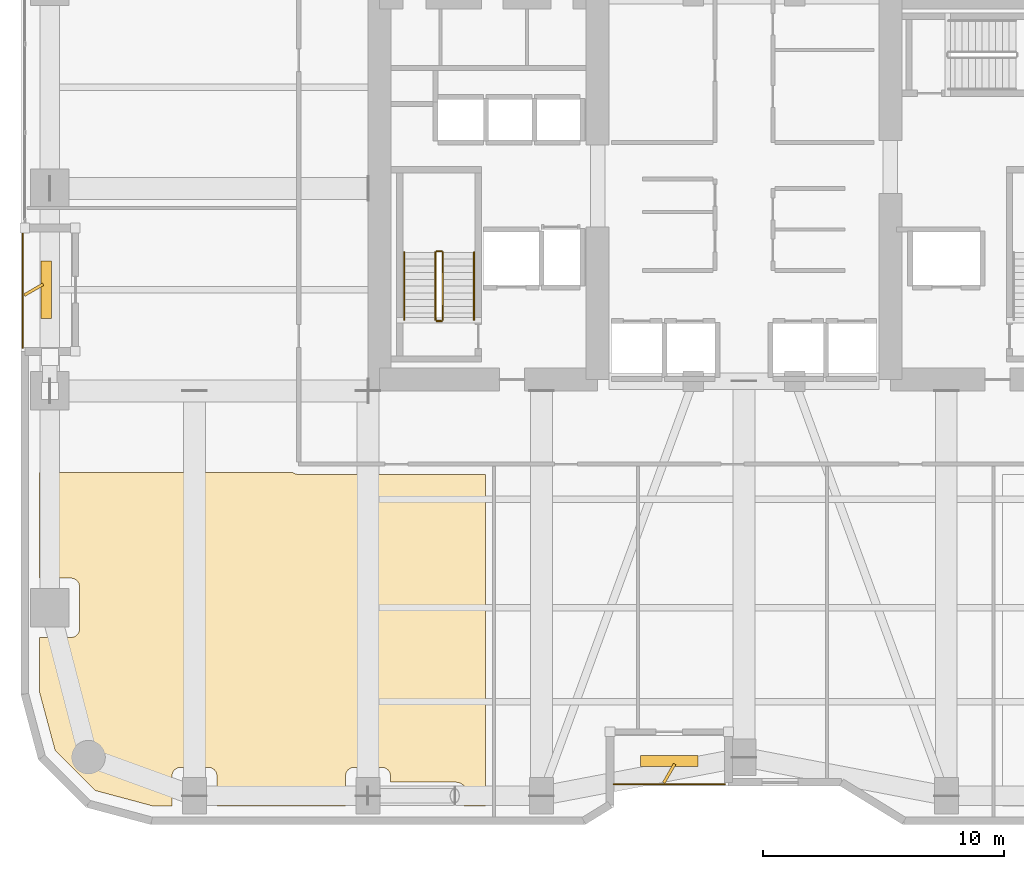
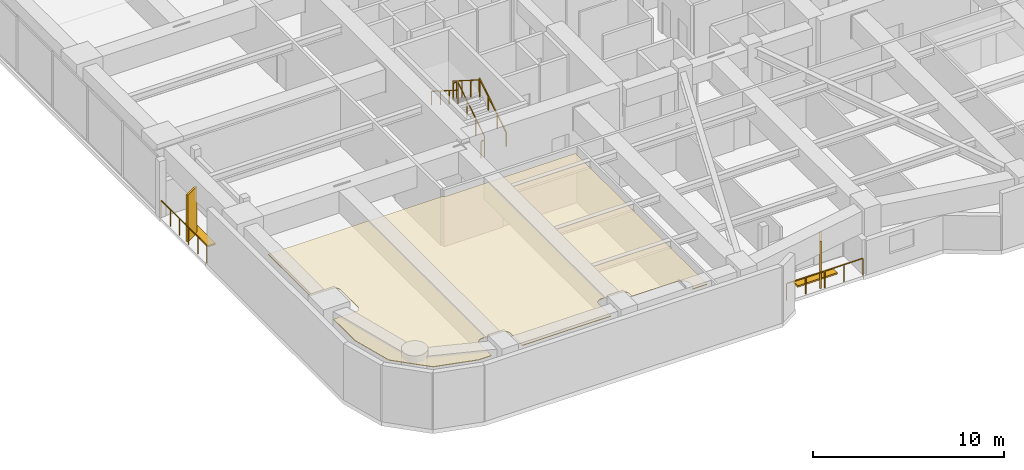
# One storey, part 26 of 28: 8 railings, 4 shading devices, 1 covering.
"""IFC4 building model written with IfcOpenShell, lengths in metres."""

from ifc_helpers import new_model, si_unit, direction, frame, origin, origin_2d, place, context, subcontext, project, spatial, polyline, rectangle, outline, extrude, material, layer, layer_set, type_object, element, save


model = new_model("IFC4")

# Units and contexts
model_context = context("Model", 3, precision=1e-05, world=origin(), true_north=direction((0.0, 1.0)))
body_context = subcontext(model_context, "Body", "Model", "MODEL_VIEW")
ifc_project = project(units=[si_unit("LENGTHUNIT", "METRE"), si_unit("AREAUNIT", "SQUARE_METRE"), si_unit("VOLUMEUNIT", "CUBIC_METRE"), si_unit("PLANEANGLEUNIT", "RADIAN"), si_unit("MASSUNIT", "GRAM", prefix="KILO")], contexts=[model_context])

# Site, building, storey
site_placement = place(None, origin())
site = spatial("IfcSite", under=ifc_project, at=site_placement, CompositionType="ELEMENT")
building_placement = place(site_placement, origin())
building = spatial("IfcBuilding", under=site, at=building_placement, Name="Kiyonajd Concourse Tower", CompositionType="ELEMENT")
storey_placement = place(building_placement, frame((0.0, 0.0, 76.800048828125)))
storey = spatial("IfcBuildingStorey", under=building, at=storey_placement, Name="L20", CompositionType="ELEMENT", Elevation=76.800048828125)

# Covering
ifc_material_1 = material(Name="Natural Oak Acoustic Timber Veneer", Category="wood")
ifc_layer = layer(ifc_material_1, 0.0400390625)
ifc_layer_set = layer_set([ifc_layer], Name="Natural Oak Acoustic Timber Veneer")
covering_type = type_object("IfcCoveringType", Name="CV-CLG-ACST", PredefinedType="CEILING", material=ifc_layer_set)
covering_placement = place(storey_placement, frame((0.0, 0.0, 3.419921875)))
element("IfcCovering", 1, at=covering_placement, inside=storey, type_object=covering_type, Name="L20-39 Room Acoustic Ceiling", PredefinedType="CEILING", context=body_context, shape_type="SweptSolid", body=[
    extrude(outline(polyline([(19.4140625, 12.697998046875), (18.77001953125, 15.10107421875), (18.77001953125, 17.3701171875), (20.114013671875, 17.3720703125), (20.181884765625, 17.385009765625), (20.2451171875, 17.410888671875), (20.302001953125, 17.448974609375), (20.35107421875, 17.498046875), (20.388916015625, 17.554931640625), (20.4150390625, 17.617919921875), (20.429931640625, 17.719970703125), (20.427978515625, 19.513916015625), (20.403076171875, 19.614013671875), (20.35107421875, 19.701904296875), (20.302001953125, 19.7509765625), (20.2451171875, 19.7890625), (20.14794921875, 19.822998046875), (20.080078125, 19.830078125), (18.77001953125, 19.830078125), (18.77001953125, 24.2099609375), (29.277099609375, 24.2099609375), (29.33203125, 24.176025390625), (29.39501953125, 24.14990234375), (29.52490234375, 24.1298828125), (37.280029296875, 24.1298828125), (37.280029296875, 10.3701171875), (36.3740234375, 10.3701171875), (36.44091796875, 10.43798828125), (36.485107421875, 10.501953125), (36.54296875, 10.626953125), (36.56396484375, 10.72509765625), (36.570068359375, 10.800048828125), (36.555908203125, 10.924072265625), (36.54296875, 10.972900390625), (36.501953125, 11.070068359375), (36.44091796875, 11.162109375), (36.333984375, 11.260986328125), (36.27001953125, 11.302001953125), (36.200927734375, 11.3330078125), (36.12890625, 11.35498046875), (36.02197265625, 11.368896484375), (33.330078125, 11.3701171875), (33.327880859375, 11.6640625), (33.31494140625, 11.73193359375), (33.2890625, 11.794921875), (33.22705078125, 11.876953125), (33.14501953125, 11.93896484375), (33.08203125, 11.965087890625), (32.97998046875, 11.97998046875), (31.785888671875, 11.97802734375), (31.718017578125, 11.965087890625), (31.655029296875, 11.93896484375), (31.572998046875, 11.876953125), (31.510986328125, 11.794921875), (31.485107421875, 11.73193359375), (31.471923828125, 11.6640625), (31.469970703125, 10.3701171875), (26.1298828125, 10.3701171875), (26.1279296875, 11.6640625), (26.114990234375, 11.73193359375), (26.089111328125, 11.794921875), (26.027099609375, 11.876953125), (25.945068359375, 11.93896484375), (25.882080078125, 11.965087890625), (25.81396484375, 11.97802734375), (24.6201171875, 11.97998046875), (24.552001953125, 11.972900390625), (24.455078125, 11.93896484375), (24.373046875, 11.876953125), (24.31103515625, 11.794921875), (24.277099609375, 11.697998046875), (24.27001953125, 11.6298828125), (24.27001953125, 10.3701171875), (23.5009765625, 10.3701171875), (21.097900390625, 11.013916015625), (19.4140625, 12.697998046875)])), origin(), (0.0, 0.0, 1.0), 0.0400390625),
])

# Railings
ifc_material_2 = material(Name="Thermally Broken Anodised Aluminium", Category="aluminium")
railing_type_1 = type_object("IfcRailingType", Name="RL-GRD-LOG", PredefinedType="GUARDRAIL", material=ifc_material_2)
railing_1_placement = place(storey_placement, frame((42.60009765625, 11.280029296875, 0.0)))
element("IfcRailing", 2, at=railing_1_placement, inside=storey, type_object=railing_type_1, Name="L20 Engawa Loggia Perimeter Guard LOG-S", PredefinedType="GUARDRAIL", context=body_context, shape_type="SweptSolid", body=[
    extrude(rectangle(XDim=0.048095703125, YDim=0.048095703125, at=origin_2d()), frame((0.0, 0.0, 1.076171875), z_axis=(1.0, 0.0, 0.0), x_axis=(0.0, 1.0, 0.0)), (0.0, 0.0, 1.0), 4.599853515625),
    extrude(rectangle(XDim=0.0419921875, YDim=0.0419921875, at=origin_2d()), origin(), (0.0, 0.0, 1.0), 1.052001953125),
    extrude(rectangle(XDim=0.0419921875, YDim=0.0419921875, at=origin_2d()), frame((1.14990234375, 0.0, 0.0)), (0.0, 0.0, 1.0), 1.052001953125),
    extrude(rectangle(XDim=0.0419921875, YDim=0.0419921875, at=origin_2d()), frame((2.2998046875, 0.0, 0.0)), (0.0, 0.0, 1.0), 1.052001953125),
    extrude(rectangle(XDim=0.0419921875, YDim=0.0419921875, at=origin_2d()), frame((3.449951171875, 0.0, 0.0)), (0.0, 0.0, 1.0), 1.052001953125),
    extrude(rectangle(XDim=0.0419921875, YDim=0.0419921875, at=origin_2d()), frame((4.599853515625, 0.0, 0.0)), (0.0, 0.0, 1.0), 1.052001953125),
])
railing_2_placement = place(storey_placement, frame((18.080078125, 34.199951171875, 0.0)))
element("IfcRailing", 3, at=railing_2_placement, inside=storey, type_object=railing_type_1, Name="L20 Engawa Loggia Perimeter Guard LOG-W", PredefinedType="GUARDRAIL", context=body_context, shape_type="SweptSolid", body=[
    extrude(rectangle(XDim=0.048095703125, YDim=0.048095703125, at=origin_2d()), frame((0.0, 0.0, 1.076171875), z_axis=(0.0, -1.0, 0.0), x_axis=(1.0, 0.0, 0.0)), (0.0, 0.0, 1.0), 4.800048828125),
    extrude(rectangle(XDim=0.0419921875, YDim=0.0419921875, at=origin_2d()), origin(), (0.0, 0.0, 1.0), 1.052001953125),
    extrude(rectangle(XDim=0.0419921875, YDim=0.0419921875, at=origin_2d()), frame((0.0, -0.9599609375, 0.0)), (0.0, 0.0, 1.0), 1.052001953125),
    extrude(rectangle(XDim=0.0419921875, YDim=0.0419921875, at=origin_2d()), frame((0.0, -1.919921875, 0.0)), (0.0, 0.0, 1.0), 1.052001953125),
    extrude(rectangle(XDim=0.0419921875, YDim=0.0419921875, at=origin_2d()), frame((0.0, -2.880126953125, 0.0)), (0.0, 0.0, 1.0), 1.052001953125),
    extrude(rectangle(XDim=0.0419921875, YDim=0.0419921875, at=origin_2d()), frame((0.0, -3.840087890625, 0.0)), (0.0, 0.0, 1.0), 1.052001953125),
    extrude(rectangle(XDim=0.0419921875, YDim=0.0419921875, at=origin_2d()), frame((0.0, -4.800048828125, 0.0)), (0.0, 0.0, 1.0), 1.052001953125),
])
ifc_material_3 = material(Name="Steel ASTM A500 Grade C", Category="steel")
railing_type_2 = type_object("IfcRailingType", Name="RL-GRD-STR", PredefinedType="GUARDRAIL", material=ifc_material_3)
railing_3_placement = place(storey_placement, frame((35.5, 30.550048828125, 0.17724609375)))
element("IfcRailing", 4, at=railing_3_placement, inside=storey, type_object=railing_type_2, Name="L20 ST1 stair guard 1", PredefinedType="GUARDRAIL", context=body_context, shape_type="SweptSolid", body=[
    extrude(rectangle(XDim=0.048095703125, YDim=0.048095703125, at=origin_2d()), frame((0.0, 0.0, 1.076171875), z_axis=(0.0, 0.844908973607, 0.534910110503), x_axis=(-1.0, 0.0, 0.0)), (0.0, 0.0, 1.0), 3.31396484375),
    extrude(rectangle(XDim=0.0419921875, YDim=0.0419921875, at=origin_2d()), origin(), (0.0, 0.0, 1.0), 1.052001953125),
    extrude(rectangle(XDim=0.0419921875, YDim=0.0419921875, at=origin_2d()), frame((0.0, 0.933349609375, 0.5908203125)), (0.0, 0.0, 1.0), 1.052001953125),
    extrude(rectangle(XDim=0.0419921875, YDim=0.0419921875, at=origin_2d()), frame((0.0, 1.86669921875, 1.181884765625)), (0.0, 0.0, 1.0), 1.052001953125),
    extrude(rectangle(XDim=0.0419921875, YDim=0.0419921875, at=origin_2d()), frame((0.0, 2.800048828125, 1.772705078125)), (0.0, 0.0, 1.0), 1.052001953125),
])
railing_4_placement = place(storey_placement, frame((35.449951171875, 33.39990234375, 1.949951171875)))
element("IfcRailing", 5, at=railing_4_placement, inside=storey, type_object=railing_type_2, Name="L20 ST1 stair guard 2", PredefinedType="GUARDRAIL", context=body_context, shape_type="SweptSolid", body=[
    extrude(rectangle(XDim=0.048095703125, YDim=0.048095703125, at=origin_2d()), frame((0.0, 0.0, 1.076171875), z_axis=(-1.0, 0.0, 0.0), x_axis=(0.0, -1.0, 0.0)), (0.0, 0.0, 1.0), 0.199951171875),
    extrude(rectangle(XDim=0.0419921875, YDim=0.0419921875, at=origin_2d()), origin(), (0.0, 0.0, 1.0), 1.052001953125),
    extrude(rectangle(XDim=0.0419921875, YDim=0.0419921875, at=origin_2d()), frame((-0.199951171875, 0.0, 0.0)), (0.0, 0.0, 1.0), 1.052001953125),
])
railing_5_placement = place(storey_placement, frame((35.199951171875, 33.35009765625, 2.127197265625)))
element("IfcRailing", 6, at=railing_5_placement, inside=storey, type_object=railing_type_2, Name="L20 ST1 stair guard 3", PredefinedType="GUARDRAIL", context=body_context, shape_type="SweptSolid", body=[
    extrude(rectangle(XDim=0.048095703125, YDim=0.048095703125, at=origin_2d()), frame((0.0, 0.0, 1.076171875), z_axis=(0.0, -0.844908973607, 0.534910110503), x_axis=(1.0, 0.0, 0.0)), (0.0, 0.0, 1.0), 3.31396484375),
    extrude(rectangle(XDim=0.0419921875, YDim=0.0419921875, at=origin_2d()), origin(), (0.0, 0.0, 1.0), 1.052001953125),
    extrude(rectangle(XDim=0.0419921875, YDim=0.0419921875, at=origin_2d()), frame((0.0, -0.933349609375, 0.5908203125)), (0.0, 0.0, 1.0), 1.052001953125),
    extrude(rectangle(XDim=0.0419921875, YDim=0.0419921875, at=origin_2d()), frame((0.0, -1.86669921875, 1.181884765625)), (0.0, 0.0, 1.0), 1.052001953125),
    extrude(rectangle(XDim=0.0419921875, YDim=0.0419921875, at=origin_2d()), frame((0.0, -2.800048828125, 1.772705078125)), (0.0, 0.0, 1.0), 1.052001953125),
])
railing_6_placement = place(storey_placement, frame((35.449951171875, 30.5, 0.0)))
element("IfcRailing", 7, at=railing_6_placement, inside=storey, type_object=railing_type_2, Name="L20 ST1 stair guard 4", PredefinedType="GUARDRAIL", context=body_context, shape_type="SweptSolid", body=[
    extrude(rectangle(XDim=0.048095703125, YDim=0.048095703125, at=origin_2d()), frame((0.0, 0.0, 1.076171875), z_axis=(-1.0, 0.0, 0.0), x_axis=(0.0, -1.0, 0.0)), (0.0, 0.0, 1.0), 0.199951171875),
    extrude(rectangle(XDim=0.0419921875, YDim=0.0419921875, at=origin_2d()), origin(), (0.0, 0.0, 1.0), 1.052001953125),
    extrude(rectangle(XDim=0.0419921875, YDim=0.0419921875, at=origin_2d()), frame((-0.199951171875, 0.0, 0.0)), (0.0, 0.0, 1.0), 1.052001953125),
])
ifc_material_4 = material(Name="Brushed Stainless Steel Cab Assembly", Category="steel")
railing_type_3 = type_object("IfcRailingType", Name="RL-HND-900", PredefinedType="HANDRAIL", material=ifc_material_4)
railing_7_placement = place(storey_placement, frame((36.800048828125, 30.550048828125, 0.17724609375)))
element("IfcRailing", 8, at=railing_7_placement, inside=storey, type_object=railing_type_3, Name="L20 ST1 stair handrail 1", PredefinedType="HANDRAIL", context=body_context, shape_type="SweptSolid", body=[
    extrude(rectangle(XDim=0.048095703125, YDim=0.048095703125, at=origin_2d()), frame((0.0, 0.0, 0.8759765625), z_axis=(0.0, 0.844908973607, 0.534910110503), x_axis=(-1.0, 0.0, 0.0)), (0.0, 0.0, 1.0), 3.31396484375),
    extrude(rectangle(XDim=0.0419921875, YDim=0.0419921875, at=origin_2d()), origin(), (0.0, 0.0, 1.0), 0.851806640625),
    extrude(rectangle(XDim=0.0419921875, YDim=0.0419921875, at=origin_2d()), frame((0.0, 0.933349609375, 0.5908203125)), (0.0, 0.0, 1.0), 0.851806640625),
    extrude(rectangle(XDim=0.0419921875, YDim=0.0419921875, at=origin_2d()), frame((0.0, 1.86669921875, 1.181884765625)), (0.0, 0.0, 1.0), 0.851806640625),
    extrude(rectangle(XDim=0.0419921875, YDim=0.0419921875, at=origin_2d()), frame((0.0, 2.800048828125, 1.772705078125)), (0.0, 0.0, 1.0), 0.851806640625),
])
railing_8_placement = place(storey_placement, frame((33.89990234375, 33.35009765625, 2.127197265625)))
element("IfcRailing", 9, at=railing_8_placement, inside=storey, type_object=railing_type_3, Name="L20 ST1 stair handrail 2", PredefinedType="HANDRAIL", context=body_context, shape_type="SweptSolid", body=[
    extrude(rectangle(XDim=0.048095703125, YDim=0.048095703125, at=origin_2d()), frame((0.0, 0.0, 0.8759765625), z_axis=(0.0, -0.844908973607, 0.534910110503), x_axis=(1.0, 0.0, 0.0)), (0.0, 0.0, 1.0), 3.31396484375),
    extrude(rectangle(XDim=0.0419921875, YDim=0.0419921875, at=origin_2d()), origin(), (0.0, 0.0, 1.0), 0.851806640625),
    extrude(rectangle(XDim=0.0419921875, YDim=0.0419921875, at=origin_2d()), frame((0.0, -0.933349609375, 0.5908203125)), (0.0, 0.0, 1.0), 0.851806640625),
    extrude(rectangle(XDim=0.0419921875, YDim=0.0419921875, at=origin_2d()), frame((0.0, -1.86669921875, 1.181884765625)), (0.0, 0.0, 1.0), 0.851806640625),
    extrude(rectangle(XDim=0.0419921875, YDim=0.0419921875, at=origin_2d()), frame((0.0, -2.800048828125, 1.772705078125)), (0.0, 0.0, 1.0), 0.851806640625),
])

# Shading devices
ifc_material_5 = material(Name="Precast concrete C50/60", Category="concrete")
shading_device_type_1 = type_object("IfcShadingDeviceType", Name="SH-FIN-900", PredefinedType="USERDEFINED", material=ifc_material_5)
for number, where, z_axis, x_axis, name in (
    (10, (44.89990234375, 11.72998046875, 0.0), (0.0, 0.0, 1.0), (0.5, 0.866025403784, 0.0), "L20 Angled Koshi Solar Fin LOG-S"),
    (11, (18.530029296875, 31.800048828125, 0.0), (0.0, 0.0, 1.0), (0.866025403784, 0.5, 0.0), "L20 Angled Koshi Solar Fin LOG-W"),
):
    element("IfcShadingDevice", number, at=place(storey_placement, frame(where, z_axis=z_axis, x_axis=x_axis)), inside=storey, type_object=shading_device_type_1, Name=name, ObjectType="FIN", PredefinedType="USERDEFINED", context=body_context, shape_type="SweptSolid", body=[
        extrude(rectangle(XDim=0.89990234375, YDim=0.1201171875, at=origin_2d()), origin(), (0.0, 0.0, 1.0), 3.0),
    ])
shading_device_type_2 = type_object("IfcShadingDeviceType", Name="SH-LVR-600", PredefinedType="JALOUSIE", material=ifc_material_2)
for number, where, z_axis, x_axis, name in (
    (12, (44.89990234375, 12.25, 0.0), (0.0, 0.0, 1.0), (1.0, 0.0, 0.0), "L20 Loggia Threshold Louver LOG-S"),
    (13, (19.050048828125, 31.800048828125, 0.0), (0.0, 0.0, 1.0), (0.0, 1.0, 0.0), "L20 Loggia Threshold Louver LOG-W"),
):
    element("IfcShadingDevice", number, at=place(storey_placement, frame(where, z_axis=z_axis, x_axis=x_axis)), inside=storey, type_object=shading_device_type_2, Name=name, PredefinedType="JALOUSIE", context=body_context, shape_type="SweptSolid", body=[
        extrude(rectangle(XDim=2.39990234375, YDim=0.449951171875, at=origin_2d()), origin(), (0.0, 0.0, 1.0), 0.10009765625),
    ])

save(model, "model.ifc")
